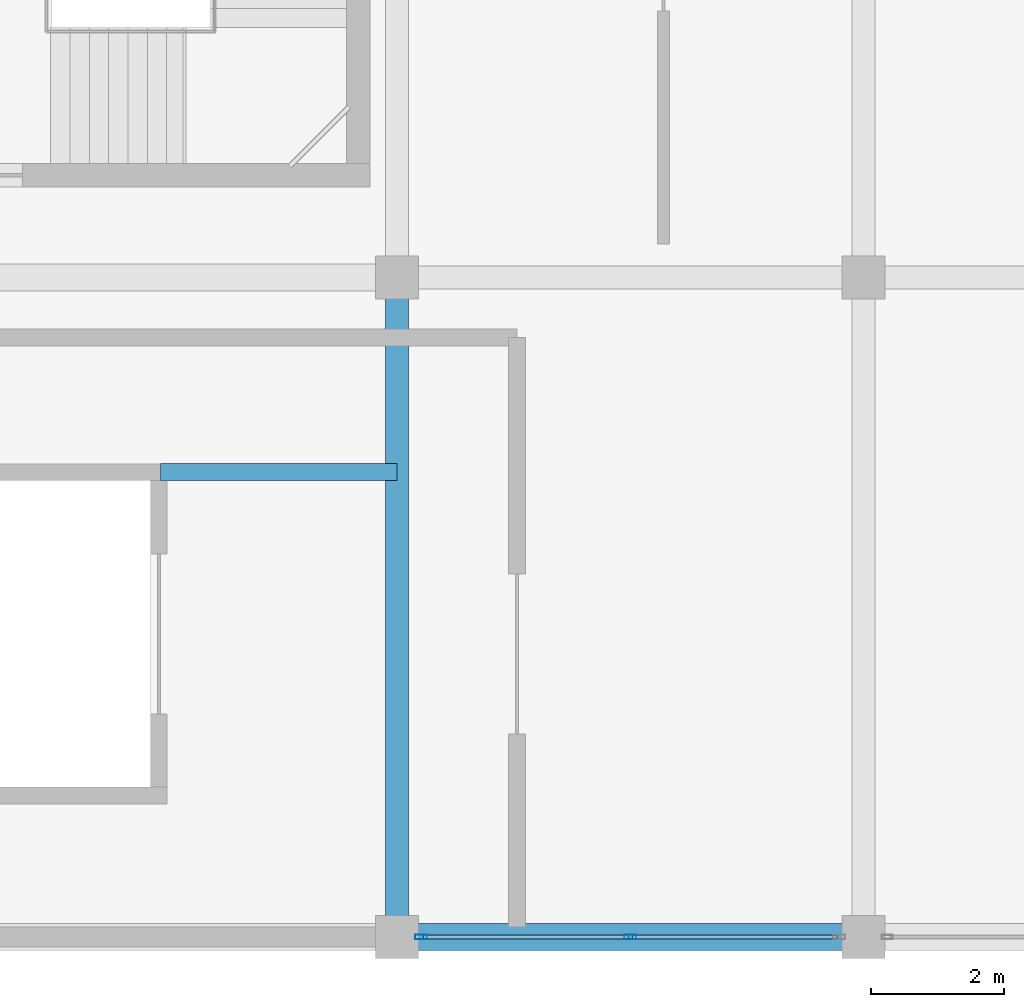
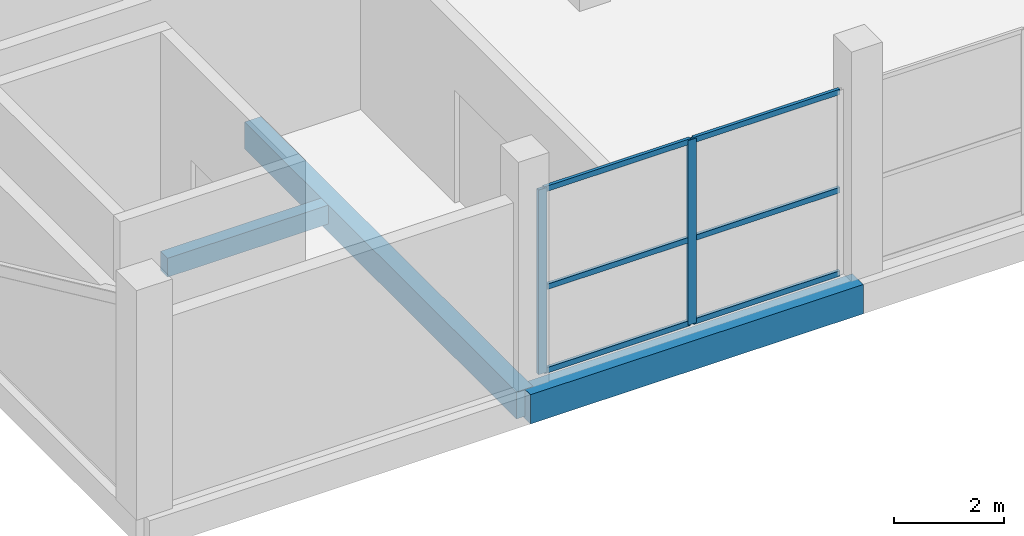
# One storey, part 2 of 67: 8 members, 3 beams, 1 element without a shape of its own.
"""IFC4 building model written with IfcOpenShell, lengths in metres."""

from ifc_helpers import new_model, si_unit, direction, frame, origin, origin_2d, place, context, subcontext, project, spatial, rectangle, hollow_rectangle, extrude, material, layer, layer_set, material_profile, profile_set, type_object, element, aggregate, save


model = new_model("IFC4")

# Units and contexts
model_context = context("Model", 3, precision=1e-05, world=origin(), true_north=direction((0.0, 1.0)))
body_context = subcontext(model_context, "Body", "Model", "MODEL_VIEW")
ifc_project = project(units=[si_unit("LENGTHUNIT", "METRE"), si_unit("AREAUNIT", "SQUARE_METRE"), si_unit("VOLUMEUNIT", "CUBIC_METRE"), si_unit("PLANEANGLEUNIT", "RADIAN"), si_unit("MASSUNIT", "GRAM", prefix="KILO")], contexts=[model_context])

# Site, building, storey
site_placement = place(None, origin())
site = spatial("IfcSite", under=ifc_project, at=site_placement, CompositionType="ELEMENT")
building_placement = place(site_placement, origin())
building = spatial("IfcBuilding", under=site, at=building_placement, Name="Sillaruma Civic Art Gallery", CompositionType="ELEMENT")
storey_placement = place(building_placement, frame((0.0, 0.0, 46.919921875)))
storey = spatial("IfcBuildingStorey", under=building, at=storey_placement, Name="L09", CompositionType="ELEMENT", Elevation=46.919921875)

# Beams
ifc_material_1 = material(Name="Concrete H35 (35 MPa)", Category="concrete")
ifc_material_profile_1 = material_profile(ifc_material_1, rectangle(XDim=0.35009765625, YDim=0.60009765625, at=origin_2d()), Name="RCB350x600")
ifc_profile_set_1 = profile_set([ifc_material_profile_1], Name="Concrete H35 (35 MPa)")
beam_type_1 = type_object("IfcBeamType", Name="BM-BEAM-RCB350x600", PredefinedType="BEAM", material=ifc_profile_set_1)
beam_1_placement = place(storey_placement, frame((70.0, 19.800048828125, -0.5498046875), z_axis=(0.0, 1.0, 0.0), x_axis=(-1.0, 0.0, 0.0)))
element("IfcBeam", 1, at=beam_1_placement, inside=storey, type_object=beam_type_1, Name="Beam BM-06 (L08:G:3-4)", PredefinedType="BEAM", context=body_context, shape_type="SweptSolid", body=[
    extrude(rectangle(XDim=0.35009765625, YDim=0.60009765625, at=origin_2d()), origin(), (0.0, 0.0, 1.0), 9.89990234375),
])
ifc_material_profile_2 = material_profile(ifc_material_1, rectangle(XDim=0.260009765625, YDim=0.419921875, at=origin_2d()), Name="RCB260x420")
ifc_profile_set_2 = profile_set([ifc_material_profile_2], Name="Concrete H35 (35 MPa)")
beam_type_2 = type_object("IfcBeamType", Name="BM-LINTEL-RCB260x420", PredefinedType="LINTEL", material=ifc_profile_set_2)
beam_2_placement = place(storey_placement, frame((66.449951171875, 26.780029296875, -0.4599609375), z_axis=(1.0, 0.0, 0.0), x_axis=(0.0, 1.0, 0.0)))
element("IfcBeam", 2, at=beam_2_placement, inside=storey, type_object=beam_type_2, Name="Core Portal Coupling Lintel BL-02 (L08:GL1)", PredefinedType="LINTEL", context=body_context, shape_type="SweptSolid", body=[
    extrude(rectangle(XDim=0.260009765625, YDim=0.419921875, at=origin_2d()), origin(), (0.0, 0.0, 1.0), 3.550048828125),
])
ifc_material_profile_3 = material_profile(ifc_material_1, rectangle(XDim=0.39990234375, YDim=0.64990234375, at=origin_2d()), Name="RCB400x650")
ifc_profile_set_3 = profile_set([ifc_material_profile_3], Name="Concrete H35 (35 MPa)")
beam_type_3 = type_object("IfcBeamType", Name="BM-SPANDREL-RCB400x650", PredefinedType="SPANDREL", material=ifc_profile_set_3)
beam_3_placement = place(storey_placement, frame((70.0, 19.800048828125, -0.574951171875), z_axis=(1.0, 0.0, 0.0), x_axis=(0.0, 1.0, 0.0)))
element("IfcBeam", 3, at=beam_3_placement, inside=storey, type_object=beam_type_3, Name="Beam BS-02 (L08:3:G-H)", PredefinedType="SPANDREL", context=body_context, shape_type="SweptSolid", body=[
    extrude(rectangle(XDim=0.39990234375, YDim=0.64990234375, at=origin_2d()), origin(), (0.0, 0.0, 1.0), 7.0),
])

# Curtain wall, members
ifc_material_2 = material(Name="Thermally Broken Extruded Aluminium 6063-T6", Category="aluminium")
ifc_layer = layer(ifc_material_2, 0.179931640625, Name="Thermally Broken Extruded Aluminium 6063-T6")
ifc_layer_set = layer_set([ifc_layer], Name="Thermally Broken Extruded Aluminium 6063-T6")
curtain_wall_type = type_object("IfcCurtainWallType", Name="CW-UNI-67", PredefinedType="NOTDEFINED", material=ifc_layer_set)
curtain_wall_placement = place(storey_placement, origin())
curtain_wall = element("IfcCurtainWall", 4, at=curtain_wall_placement, inside=storey, type_object=curtain_wall_type, Name="Unitised Curtain Wall CW-67 (CW-L09-WBS-2)", PredefinedType="NOTDEFINED")
ifc_material_profile_4 = material_profile(ifc_material_2, hollow_rectangle(XDim=0.070068359375, YDim=0.179931640625, WallThickness=0.00390625, at=origin_2d()), Name="CWM70x180")
ifc_profile_set_4 = profile_set([ifc_material_profile_4], Name="Thermally Broken Extruded Aluminium 6063-T6")
member_type_1 = type_object("IfcMemberType", Name="MEM-MUL-CWM70x180", PredefinedType="MULLION", material=ifc_profile_set_4)
member_1_placement = place(storey_placement, frame((70.360107421875, 19.800048828125, 0.0), z_axis=(0.0, 0.0, 1.0), x_axis=(0.0, 1.0, 0.0)))
member_1 = element("IfcMember", 5, at=member_1_placement, type_object=member_type_1, Name="CW-67 mullion 1", PredefinedType="MULLION", context=body_context, shape_type="SweptSolid", body=[
    extrude(hollow_rectangle(XDim=0.070068359375, YDim=0.179931640625, WallThickness=0.00390625, at=origin_2d()), origin(), (0.0, 0.0, 1.0), 4.10009765625),
])
member_2_placement = place(storey_placement, frame((73.5, 19.800048828125, 0.0), z_axis=(0.0, 0.0, 1.0), x_axis=(0.0, 1.0, 0.0)))
member_2 = element("IfcMember", 6, at=member_2_placement, type_object=member_type_1, Name="CW-67 mullion 2", PredefinedType="MULLION", context=body_context, shape_type="SweptSolid", body=[
    extrude(hollow_rectangle(XDim=0.070068359375, YDim=0.179931640625, WallThickness=0.00390625, at=origin_2d()), origin(), (0.0, 0.0, 1.0), 4.10009765625),
])
ifc_material_profile_5 = material_profile(ifc_material_2, hollow_rectangle(XDim=0.06494140625, YDim=0.1201171875, WallThickness=0.00341796875, at=origin_2d()), Name="CWT65x120")
ifc_profile_set_5 = profile_set([ifc_material_profile_5], Name="Thermally Broken Extruded Aluminium 6063-T6")
member_type_2 = type_object("IfcMemberType", Name="MEM-TRN-CWT65x120", PredefinedType="USERDEFINED", material=ifc_profile_set_5)
member_3_placement = place(storey_placement, frame((70.39501953125, 19.800048828125, 0.032470703125), z_axis=(1.0, 0.0, 0.0), x_axis=(0.0, 1.0, 0.0)))
member_3 = element("IfcMember", 7, at=member_3_placement, type_object=member_type_2, Name="CW-67 transom 1.1", ObjectType="TRANSOM", PredefinedType="USERDEFINED", context=body_context, shape_type="SweptSolid", body=[
    extrude(hollow_rectangle(XDim=0.06494140625, YDim=0.1201171875, WallThickness=0.00341796875, at=origin_2d()), origin(), (0.0, 0.0, 1.0), 3.070068359375),
])
member_4_placement = place(storey_placement, frame((70.39501953125, 19.800048828125, 1.885986328125), z_axis=(1.0, 0.0, 0.0), x_axis=(0.0, 1.0, 0.0)))
member_4 = element("IfcMember", 8, at=member_4_placement, type_object=member_type_2, Name="CW-67 transom 1.2", ObjectType="TRANSOM", PredefinedType="USERDEFINED", context=body_context, shape_type="SweptSolid", body=[
    extrude(hollow_rectangle(XDim=0.06494140625, YDim=0.1201171875, WallThickness=0.00341796875, at=origin_2d()), origin(), (0.0, 0.0, 1.0), 3.070068359375),
])
member_5_placement = place(storey_placement, frame((70.39501953125, 19.800048828125, 4.067626953125), z_axis=(1.0, 0.0, 0.0), x_axis=(0.0, 1.0, 0.0)))
member_5 = element("IfcMember", 9, at=member_5_placement, type_object=member_type_2, Name="CW-67 transom 1.3", ObjectType="TRANSOM", PredefinedType="USERDEFINED", context=body_context, shape_type="SweptSolid", body=[
    extrude(hollow_rectangle(XDim=0.06494140625, YDim=0.1201171875, WallThickness=0.00341796875, at=origin_2d()), origin(), (0.0, 0.0, 1.0), 3.070068359375),
])
member_6_placement = place(storey_placement, frame((73.534912109375, 19.800048828125, 0.032470703125), z_axis=(1.0, 0.0, 0.0), x_axis=(0.0, 1.0, 0.0)))
member_6 = element("IfcMember", 10, at=member_6_placement, type_object=member_type_2, Name="CW-67 transom 2.1", ObjectType="TRANSOM", PredefinedType="USERDEFINED", context=body_context, shape_type="SweptSolid", body=[
    extrude(hollow_rectangle(XDim=0.06494140625, YDim=0.1201171875, WallThickness=0.00341796875, at=origin_2d()), origin(), (0.0, 0.0, 1.0), 3.070068359375),
])
member_7_placement = place(storey_placement, frame((73.534912109375, 19.800048828125, 1.885986328125), z_axis=(1.0, 0.0, 0.0), x_axis=(0.0, 1.0, 0.0)))
member_7 = element("IfcMember", 11, at=member_7_placement, type_object=member_type_2, Name="CW-67 transom 2.2", ObjectType="TRANSOM", PredefinedType="USERDEFINED", context=body_context, shape_type="SweptSolid", body=[
    extrude(hollow_rectangle(XDim=0.06494140625, YDim=0.1201171875, WallThickness=0.00341796875, at=origin_2d()), origin(), (0.0, 0.0, 1.0), 3.070068359375),
])
member_8_placement = place(storey_placement, frame((73.534912109375, 19.800048828125, 4.067626953125), z_axis=(1.0, 0.0, 0.0), x_axis=(0.0, 1.0, 0.0)))
member_8 = element("IfcMember", 12, at=member_8_placement, type_object=member_type_2, Name="CW-67 transom 2.3", ObjectType="TRANSOM", PredefinedType="USERDEFINED", context=body_context, shape_type="SweptSolid", body=[
    extrude(hollow_rectangle(XDim=0.06494140625, YDim=0.1201171875, WallThickness=0.00341796875, at=origin_2d()), origin(), (0.0, 0.0, 1.0), 3.070068359375),
])
aggregate(curtain_wall, [member_1, member_2, member_3, member_4, member_5, member_6, member_7, member_8])

save(model, "model.ifc")
